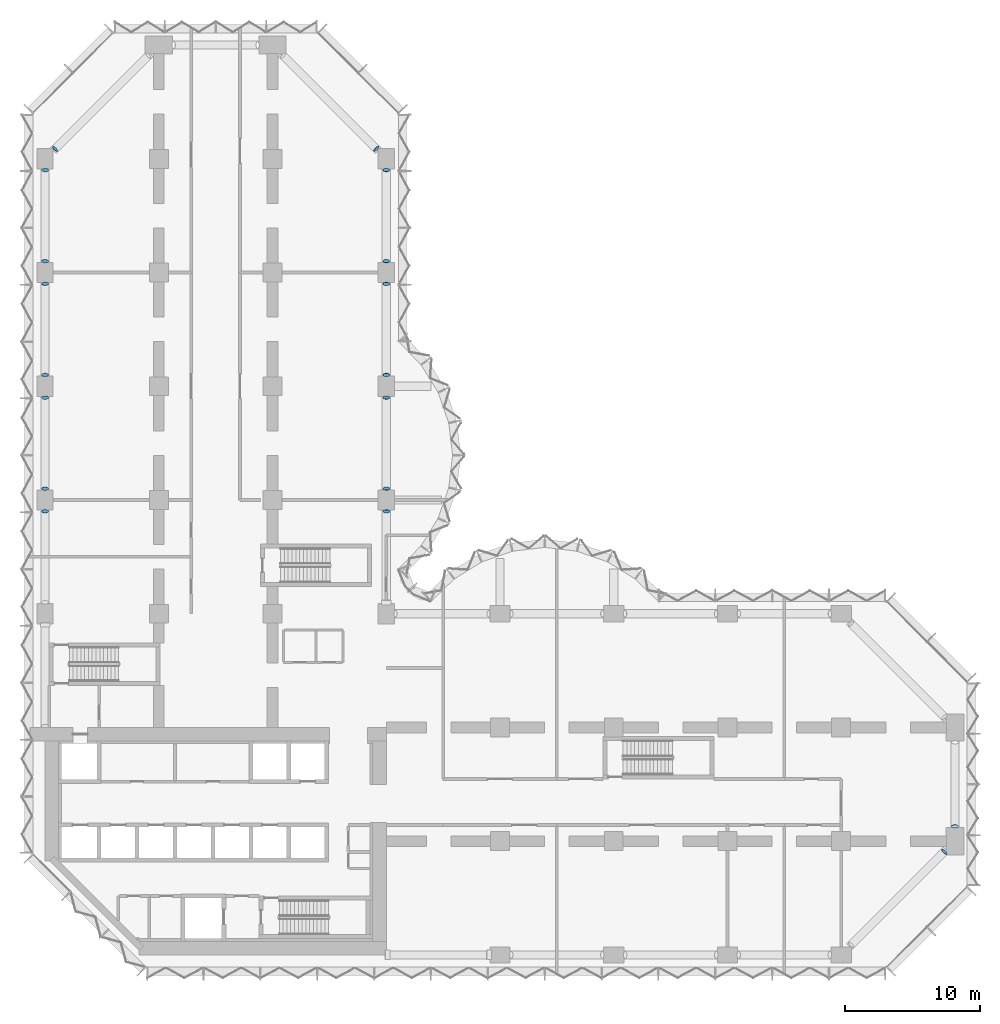
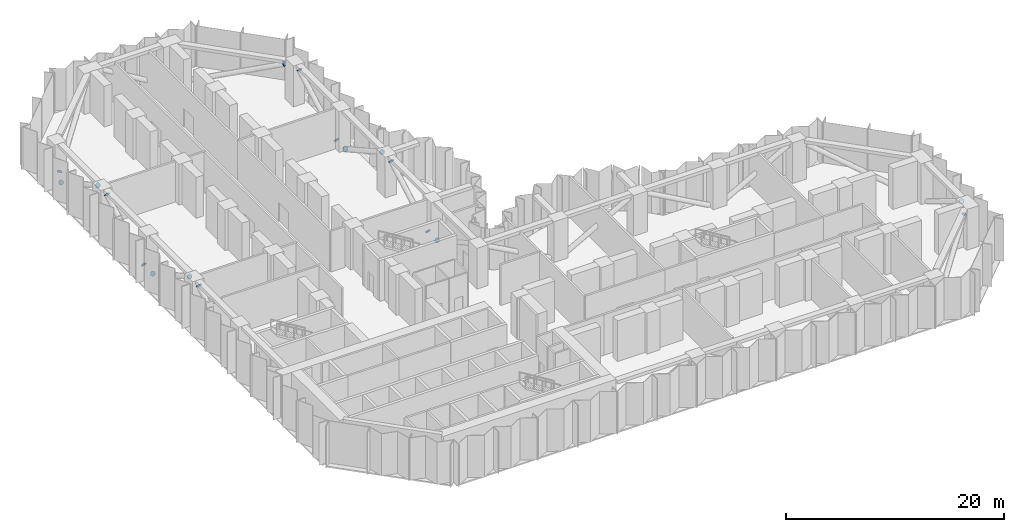
# One storey, part 6 of 18: 18 plates.
"""IFC4 building model written with IfcOpenShell, lengths in metres."""

from ifc_helpers import new_model, si_unit, direction, frame, origin, origin_2d, place, context, subcontext, project, spatial, circle, extrude, material, material_profile, profile_set, type_object, element, save


model = new_model("IFC4")

# Units and contexts
model_context = context("Model", 3, precision=1e-05, world=origin(), true_north=direction((0.0, 1.0)))
body_context = subcontext(model_context, "Body", "Model", "MODEL_VIEW")
ifc_project = project(units=[si_unit("LENGTHUNIT", "METRE"), si_unit("AREAUNIT", "SQUARE_METRE"), si_unit("VOLUMEUNIT", "CUBIC_METRE"), si_unit("PLANEANGLEUNIT", "RADIAN"), si_unit("MASSUNIT", "GRAM", prefix="KILO")], contexts=[model_context])

# Site, building, storey
site_placement = place(None, origin())
site = spatial("IfcSite", under=ifc_project, at=site_placement, CompositionType="ELEMENT")
building_placement = place(site_placement, origin())
building = spatial("IfcBuilding", under=site, at=building_placement, Name="Brevane Broadcast Tower", CompositionType="ELEMENT")
storey_placement = place(building_placement, frame((0.0, 0.0, 86.89990234375)))
storey = spatial("IfcBuildingStorey", under=building, at=storey_placement, Name="L20", CompositionType="ELEMENT", Elevation=86.89990234375)

# Plates
ifc_material = material(Name="Steel S355", Category="steel")
ifc_material_profile = material_profile(ifc_material, circle(Radius=0.25390625, at=origin_2d()), Name="PL 508 DIA x 15")
ifc_profile_set = profile_set([ifc_material_profile], Name="Steel S355")
plate_type = type_object("IfcPlateType", Name="STEEL END CAP PLATE 508 DIA x 15", PredefinedType="SHEET", material=ifc_profile_set)
for number, where, z_axis, x_axis, name in (
    (1, (66.40966796875, 7.609619140625, 3.962890625), (0.651894776378, 0.668192145787, 0.358542127008), (-0.715781948377, 0.698323852075, 0.0), "End cap plate EC1-8"),
    (2, (67.199951171875, 9.501953125, 3.983154296875), (0.0, -0.863187603129, 0.504883315038), (1.0, 0.0, 0.0), "End cap plate EC1-10"),
):
    element("IfcPlate", number, at=place(storey_placement, frame(where, z_axis=z_axis, x_axis=x_axis)), inside=storey, type_object=plate_type, Name=name, PredefinedType="SHEET", context=body_context, shape_type="SweptSolid", body=[
        extrude(circle(Radius=0.25390625, at=origin_2d()), origin(), (0.0, 0.0, 1.0), 0.014892578125),
    ])
for number, where, z_axis, x_axis, name in (
    (3, (25.199951171875, 32.76904296875, 0.21435546875), (0.0, -0.874157276122, 0.485642931179), (1.0, 0.0, 0.0), "End cap plate EC1-21"),
    (4, (25.199951171875, 34.430908203125, 0.21435546875), (0.0, 0.874157276122, 0.485642931179), (-1.0, 0.0, 0.0), "End cap plate EC1-22"),
):
    element("IfcPlate", number, at=place(storey_placement, frame(where, z_axis=z_axis, x_axis=x_axis)), inside=storey, type_object=plate_type, Name=name, PredefinedType="SHEET", context=body_context, shape_type="SweptSolid", body=[
        extrude(circle(Radius=0.25390625, at=origin_2d()), origin(), (0.0, 0.0, 1.0), 0.01513671875),
    ])
plate_1_placement = place(storey_placement, frame((25.199951171875, 41.156005859375, 3.978515625), z_axis=(0.0, 0.870256855071, 0.492598219852), x_axis=(-1.0, 0.0, 0.0)))
element("IfcPlate", 5, at=plate_1_placement, inside=storey, type_object=plate_type, Name="End cap plate EC1-23", PredefinedType="SHEET", context=body_context, shape_type="SweptSolid", body=[
    extrude(circle(Radius=0.25390625, at=origin_2d()), origin(), (0.0, 0.0, 1.0), 0.014892578125),
])
plate_2_placement = place(storey_placement, frame((25.199951171875, 49.569091796875, 0.21435546875), z_axis=(0.0, -0.874157276122, 0.485642931179), x_axis=(1.0, 0.0, 0.0)))
element("IfcPlate", 6, at=plate_2_placement, inside=storey, type_object=plate_type, Name="End cap plate EC1-24", PredefinedType="SHEET", context=body_context, shape_type="SweptSolid", body=[
    extrude(circle(Radius=0.25390625, at=origin_2d()), origin(), (0.0, 0.0, 1.0), 0.01513671875),
])
plate_3_placement = place(storey_placement, frame((25.199951171875, 42.843994140625, 3.978515625), z_axis=(0.0, -0.870256855071, 0.492598219852), x_axis=(1.0, 0.0, 0.0)))
element("IfcPlate", 7, at=plate_3_placement, inside=storey, type_object=plate_type, Name="End cap plate EC1-25", PredefinedType="SHEET", context=body_context, shape_type="SweptSolid", body=[
    extrude(circle(Radius=0.25390625, at=origin_2d()), origin(), (0.0, 0.0, 1.0), 0.014892578125),
])
plate_4_placement = place(storey_placement, frame((25.199951171875, 51.23095703125, 0.21435546875), z_axis=(0.0, 0.874157276122, 0.485642931179), x_axis=(-1.0, 0.0, 0.0)))
element("IfcPlate", 8, at=plate_4_placement, inside=storey, type_object=plate_type, Name="End cap plate EC1-26", PredefinedType="SHEET", context=body_context, shape_type="SweptSolid", body=[
    extrude(circle(Radius=0.25390625, at=origin_2d()), origin(), (0.0, 0.0, 1.0), 0.01513671875),
])
for number, where, z_axis, x_axis, name in (
    (9, (25.199951171875, 57.9560546875, 3.978515625), (0.0, 0.870256855071, 0.492598219852), (-1.0, 0.0, 0.0), "End cap plate EC1-27"),
    (10, (24.459716796875, 59.540283203125, 3.962890625), (0.659022406319, -0.659022406319, 0.362462323475), (0.707106781187, 0.707106781187, 0.0), "End cap plate EC1-29"),
    (11, (0.73046875, 59.530517578125, 0.23193359375), (0.668192145787, 0.651894776378, 0.358542127008), (-0.698323852075, 0.715781948377, 0.0), "End cap plate EC1-32"),
    (12, (0.0, 57.968994140625, 0.21435546875), (0.0, -0.870256855071, 0.492598219852), (1.0, 0.0, 0.0), "End cap plate EC1-34"),
):
    element("IfcPlate", number, at=place(storey_placement, frame(where, z_axis=z_axis, x_axis=x_axis)), inside=storey, type_object=plate_type, Name=name, PredefinedType="SHEET", context=body_context, shape_type="SweptSolid", body=[
        extrude(circle(Radius=0.25390625, at=origin_2d()), origin(), (0.0, 0.0, 1.0), 0.014892578125),
    ])
plate_5_placement = place(storey_placement, frame((0.0, 51.244140625, 3.978515625), z_axis=(0.0, -0.874157276122, 0.485642931179), x_axis=(1.0, 0.0, 0.0)))
element("IfcPlate", 13, at=plate_5_placement, inside=storey, type_object=plate_type, Name="End cap plate EC1-35", PredefinedType="SHEET", context=body_context, shape_type="SweptSolid", body=[
    extrude(circle(Radius=0.25390625, at=origin_2d()), origin(), (0.0, 0.0, 1.0), 0.01513671875),
])
plate_6_placement = place(storey_placement, frame((0.0, 42.8310546875, 0.21435546875), z_axis=(0.0, 0.870256855071, 0.492598219852), x_axis=(-1.0, 0.0, 0.0)))
element("IfcPlate", 14, at=plate_6_placement, inside=storey, type_object=plate_type, Name="End cap plate EC1-36", PredefinedType="SHEET", context=body_context, shape_type="SweptSolid", body=[
    extrude(circle(Radius=0.25390625, at=origin_2d()), origin(), (0.0, 0.0, 1.0), 0.014892578125),
])
plate_7_placement = place(storey_placement, frame((0.0, 49.555908203125, 3.978515625), z_axis=(0.0, 0.874157276122, 0.485642931179), x_axis=(-1.0, 0.0, 0.0)))
element("IfcPlate", 15, at=plate_7_placement, inside=storey, type_object=plate_type, Name="End cap plate EC1-37", PredefinedType="SHEET", context=body_context, shape_type="SweptSolid", body=[
    extrude(circle(Radius=0.25390625, at=origin_2d()), origin(), (0.0, 0.0, 1.0), 0.01513671875),
])
plate_8_placement = place(storey_placement, frame((0.0, 41.1689453125, 0.21435546875), z_axis=(0.0, -0.870256855071, 0.492598219852), x_axis=(1.0, 0.0, 0.0)))
element("IfcPlate", 16, at=plate_8_placement, inside=storey, type_object=plate_type, Name="End cap plate EC1-38", PredefinedType="SHEET", context=body_context, shape_type="SweptSolid", body=[
    extrude(circle(Radius=0.25390625, at=origin_2d()), origin(), (0.0, 0.0, 1.0), 0.014892578125),
])
for number, where, z_axis, x_axis, name in (
    (17, (0.0, 34.444091796875, 3.978515625), (0.0, -0.874157276122, 0.485642931179), (1.0, 0.0, 0.0), "End cap plate EC1-39"),
    (18, (0.0, 32.755859375, 3.978515625), (0.0, 0.874157276122, 0.485642931179), (-1.0, 0.0, 0.0), "End cap plate EC1-41"),
):
    element("IfcPlate", number, at=place(storey_placement, frame(where, z_axis=z_axis, x_axis=x_axis)), inside=storey, type_object=plate_type, Name=name, PredefinedType="SHEET", context=body_context, shape_type="SweptSolid", body=[
        extrude(circle(Radius=0.25390625, at=origin_2d()), origin(), (0.0, 0.0, 1.0), 0.01513671875),
    ])

save(model, "model.ifc")
